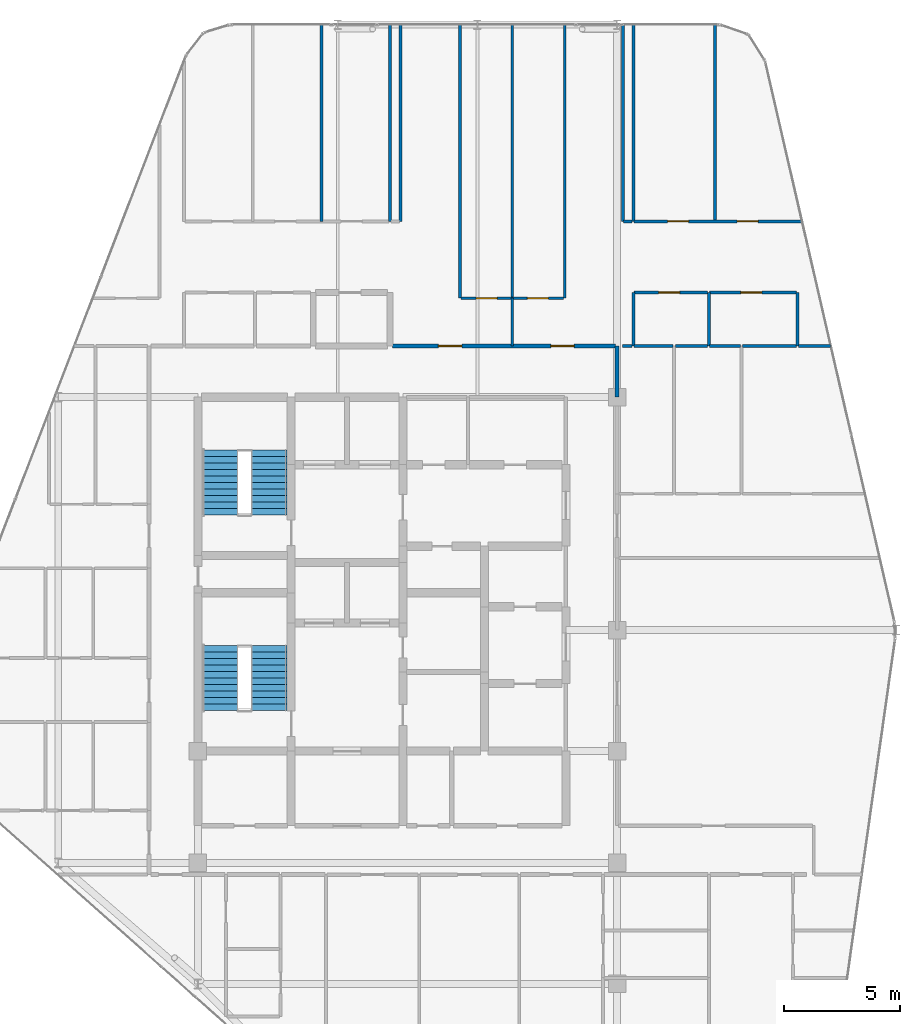
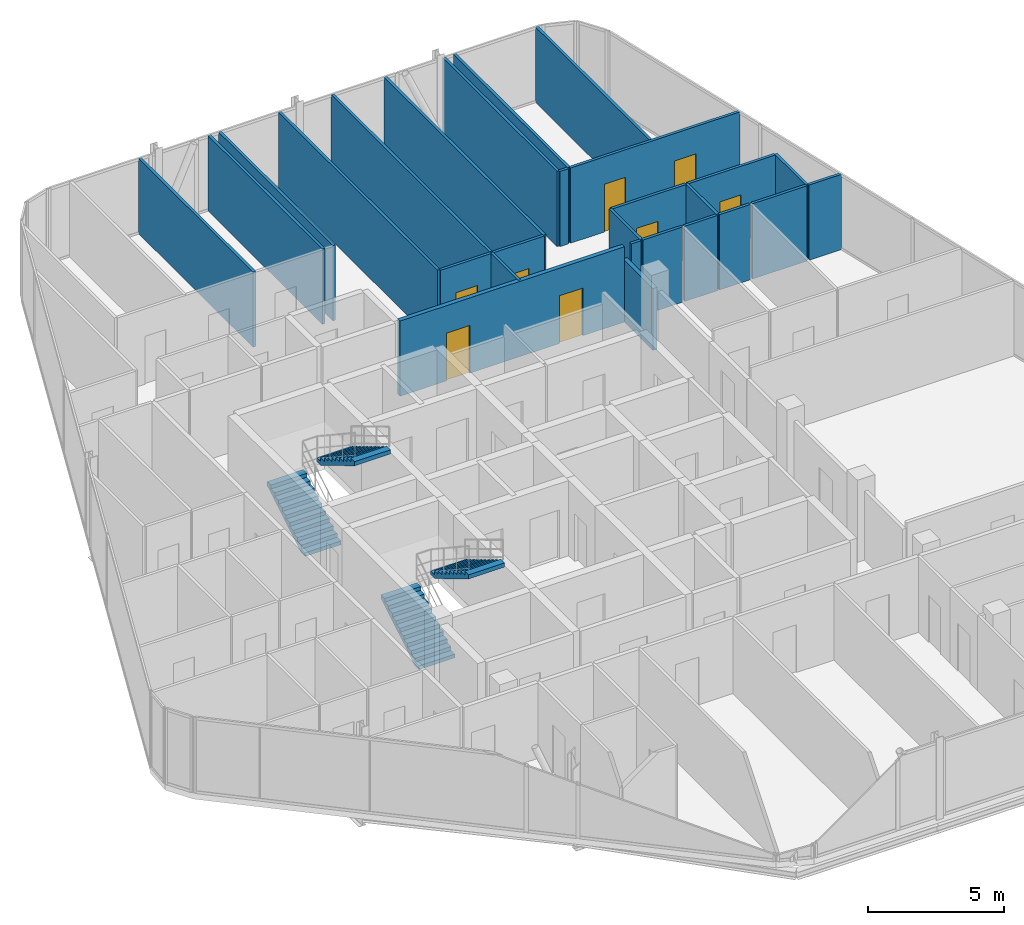
# One storey, part 26 of 27: 26 walls, 8 doors, 4 stair flights, 8 openings, 2 elements without a shape of their own.
"""IFC4 building model written with IfcOpenShell, lengths in metres."""

from ifc_helpers import new_model, si_unit, direction, frame, frame_2d, origin, place, context, subcontext, project, spatial, polyline, rectangle, outline, extrude, material, layer, layer_set, type_object, element, fill, aggregate, save


model = new_model("IFC4")

# Units and contexts
model_context = context("Model", 3, precision=1e-05, world=origin(), true_north=direction((0.0, 1.0)))
body_context = subcontext(model_context, "Body", "Model", "MODEL_VIEW")
ifc_project = project(units=[si_unit("LENGTHUNIT", "METRE"), si_unit("AREAUNIT", "SQUARE_METRE"), si_unit("VOLUMEUNIT", "CUBIC_METRE"), si_unit("PLANEANGLEUNIT", "RADIAN"), si_unit("MASSUNIT", "GRAM", prefix="KILO")], contexts=[model_context])

# Site, building, storey
site_placement = place(None, origin())
site = spatial("IfcSite", under=ifc_project, at=site_placement, CompositionType="ELEMENT")
building_placement = place(site_placement, origin())
building = spatial("IfcBuilding", under=site, at=building_placement, Name="Keshet Zoharim Tower", CompositionType="ELEMENT")
storey_placement = place(building_placement, frame((0.0, 0.0, 269.5)))
storey = spatial("IfcBuildingStorey", under=building, at=storey_placement, Name="L67", CompositionType="ELEMENT", Elevation=269.5)

# Wall, openings, doors
ifc_material_1 = material(Name="Gypsum Plasterboard", Category="gypsum")
ifc_layer_1 = layer(ifc_material_1, 0.179931640625)
ifc_layer_set_1 = layer_set([ifc_layer_1], Name="Gypsum Plasterboard")
wall_type_1 = type_object("IfcWallType", Name="WL-CORR-180", PredefinedType="STANDARD", material=ifc_layer_set_1)
wall_1_placement = place(storey_placement, frame((23.360107421875, 40.10009765625, 0.0), z_axis=(0.0, 0.0, 1.0), x_axis=(1.0, 0.0, 0.0)))
wall_1 = element("IfcWall", 1, at=wall_1_placement, inside=storey, type_object=wall_type_1, Name="L67 Interior Wall 152", PredefinedType="STANDARD", context=body_context, shape_type="SweptSolid", body=[
    extrude(rectangle(XDim=9.56494140625, YDim=0.179931640625, at=frame_2d((4.782470703125, 0.0))), origin(), (0.0, 0.0, 1.0), 3.389892578125),
])
opening_1_placement = place(wall_1_placement, frame((1.969970703125, 0.0, 0.0)))
opening_1 = element("IfcOpeningElement", 2, at=opening_1_placement, cuts=wall_1, Name="Opening D-F310", PredefinedType="OPENING", context=body_context, shape_type="SweptSolid", body=[
    extrude(rectangle(XDim=1.0, YDim=2.14990234375, at=frame_2d((0.5, 1.074951171875))), frame((0.0, 0.10009765625, 0.0), z_axis=(0.0, -1.0, 0.0), x_axis=(1.0, 0.0, 0.0)), (0.0, 0.0, 1.0), 0.199951171875),
])
opening_2_placement = place(wall_1_placement, frame((6.79296875, 0.0, 0.0)))
opening_2 = element("IfcOpeningElement", 3, at=opening_2_placement, cuts=wall_1, Name="Opening D-F310", PredefinedType="OPENING", context=body_context, shape_type="SweptSolid", body=[
    extrude(rectangle(XDim=1.0, YDim=2.14990234375, at=frame_2d((0.5, 1.074951171875))), frame((0.0, 0.10009765625, 0.0), z_axis=(0.0, -1.0, 0.0), x_axis=(1.0, 0.0, 0.0)), (0.0, 0.0, 1.0), 0.199951171875),
])
ifc_material_2 = material(Name="Hardwood Timber", Category="wood")
door_type_1 = type_object("IfcDoorType", Name="DR-FD30-100", OperationType="NOTDEFINED", PredefinedType="DOOR", material=ifc_material_2)
door_1_placement = place(opening_1_placement, origin())
door_1 = element("IfcDoor", 4, at=door_1_placement, inside=storey, type_object=door_type_1, Name="Apartment 6704 Entrance Door", OperationType="SINGLE_SWING_LEFT", OverallHeight=2.14990234375, OverallWidth=1.0, PredefinedType="DOOR", context=body_context, shape_type="SweptSolid", body=[
    extrude(rectangle(XDim=1.0, YDim=2.14990234375, at=frame_2d((0.5, 1.074951171875))), frame((0.0, 0.02490234375, 0.0), z_axis=(0.0, -1.0, 0.0), x_axis=(1.0, 0.0, 0.0)), (0.0, 0.0, 1.0), 0.050048828125),
])
fill(opening_1, door_1)
door_2_placement = place(opening_2_placement, origin())
door_2 = element("IfcDoor", 5, at=door_2_placement, inside=storey, type_object=door_type_1, Name="Apartment 6705 Entrance Door", OperationType="SINGLE_SWING_RIGHT", OverallHeight=2.14990234375, OverallWidth=1.0, PredefinedType="DOOR", context=body_context, shape_type="SweptSolid", body=[
    extrude(rectangle(XDim=1.0, YDim=2.14990234375, at=frame_2d((0.5, 1.074951171875))), frame((0.0, 0.02490234375, 0.0), z_axis=(0.0, -1.0, 0.0), x_axis=(1.0, 0.0, 0.0)), (0.0, 0.0, 1.0), 0.050048828125),
])
fill(opening_2, door_2)

# Walls
wall_2_placement = place(storey_placement, frame((33.0, 37.89990234375, 0.0), z_axis=(0.0, 0.0, 1.0), x_axis=(0.0, 1.0, 0.0)))
element("IfcWall", 6, at=wall_2_placement, inside=storey, type_object=wall_type_1, Name="L67 Interior Wall 068 Part 2", PredefinedType="STANDARD", context=body_context, shape_type="SweptSolid", body=[
    extrude(rectangle(XDim=2.2001953125, YDim=0.179931640625, at=frame_2d((1.10009765625, 0.0))), origin(), (0.0, 0.0, 1.0), 2.7900390625),
])
ifc_layer_2 = layer(ifc_material_1, 0.1201171875)
ifc_layer_set_2 = layer_set([ifc_layer_2], Name="Gypsum Plasterboard")
wall_type_2 = type_object("IfcWallType", Name="WL-PART-120", PredefinedType="PARTITIONING", material=ifc_layer_set_2)
for number, where, z_axis, x_axis, name in (
    (7, (20.300048828125, 45.449951171875, 0.0), (0.0, 0.0, 1.0), (0.0, 1.0, 0.0), "L67 Interior Wall 032"),
    (8, (23.25, 45.449951171875, 0.0), (0.0, 0.0, 1.0), (0.0, 1.0, 0.0), "L67 Interior Wall 037"),
    (9, (23.699951171875, 45.449951171875, 0.0), (0.0, 0.0, 1.0), (0.0, 1.0, 0.0), "L67 Interior Wall 038"),
):
    element("IfcWall", number, at=place(storey_placement, frame(where, z_axis=z_axis, x_axis=x_axis)), inside=storey, type_object=wall_type_2, Name=name, PredefinedType="PARTITIONING", context=body_context, shape_type="SweptSolid", body=[
        extrude(rectangle(XDim=8.43994140625, YDim=0.1201171875, at=frame_2d((4.219970703125, 0.0))), origin(), (0.0, 0.0, 1.0), 3.389892578125),
    ])
wall_3_placement = place(storey_placement, frame((26.25, 42.14990234375, 0.0), z_axis=(0.0, 0.0, 1.0), x_axis=(0.0, 1.0, 0.0)))
element("IfcWall", 10, at=wall_3_placement, inside=storey, type_object=wall_type_2, Name="L67 Interior Wall 047", PredefinedType="PARTITIONING", context=body_context, shape_type="SweptSolid", body=[
    extrude(rectangle(XDim=11.739990234375, YDim=0.1201171875, at=frame_2d((5.8701171875, 0.0))), origin(), (0.0, 0.0, 1.0), 3.389892578125),
])
wall_4_placement = place(storey_placement, frame((28.5, 40.10009765625, 0.0), z_axis=(0.0, 0.0, 1.0), x_axis=(0.0, 1.0, 0.0)))
element("IfcWall", 11, at=wall_4_placement, inside=storey, type_object=wall_type_2, Name="L67 Interior Wall 053", PredefinedType="PARTITIONING", context=body_context, shape_type="SweptSolid", body=[
    extrude(rectangle(XDim=2.0498046875, YDim=0.1201171875, at=frame_2d((1.02490234375, 0.0))), origin(), (0.0, 0.0, 1.0), 3.389892578125),
])
for number, where, z_axis, x_axis, name in (
    (12, (28.5, 42.14990234375, 0.0), (0.0, 0.0, 1.0), (0.0, 1.0, 0.0), "L67 Interior Wall 054"),
    (13, (30.75, 42.14990234375, 0.0), (0.0, 0.0, 1.0), (0.0, 1.0, 0.0), "L67 Interior Wall 056"),
):
    element("IfcWall", number, at=place(storey_placement, frame(where, z_axis=z_axis, x_axis=x_axis)), inside=storey, type_object=wall_type_2, Name=name, PredefinedType="PARTITIONING", context=body_context, shape_type="SweptSolid", body=[
        extrude(rectangle(XDim=11.739990234375, YDim=0.1201171875, at=frame_2d((5.8701171875, 0.0))), origin(), (0.0, 0.0, 1.0), 3.389892578125),
    ])
wall_5_placement = place(storey_placement, frame((33.25, 45.449951171875, 0.0), z_axis=(0.0, 0.0, 1.0), x_axis=(0.0, 1.0, 0.0)))
element("IfcWall", 14, at=wall_5_placement, inside=storey, type_object=wall_type_2, Name="L67 Interior Wall 069", PredefinedType="PARTITIONING", context=body_context, shape_type="SweptSolid", body=[
    extrude(rectangle(XDim=8.43994140625, YDim=0.1201171875, at=frame_2d((4.219970703125, 0.0))), origin(), (0.0, 0.0, 1.0), 3.389892578125),
])
wall_6_placement = place(storey_placement, frame((33.699951171875, 40.10009765625, 0.0), z_axis=(0.0, 0.0, 1.0), x_axis=(0.0, 1.0, 0.0)))
element("IfcWall", 15, at=wall_6_placement, inside=storey, type_object=wall_type_2, Name="L67 Interior Wall 070", PredefinedType="PARTITIONING", context=body_context, shape_type="SweptSolid", body=[
    extrude(rectangle(XDim=2.2998046875, YDim=0.1201171875, at=frame_2d((1.14990234375, 0.0))), origin(), (0.0, 0.0, 1.0), 3.389892578125),
])
for number, where, z_axis, x_axis, name in (
    (16, (33.699951171875, 45.449951171875, 0.0), (0.0, 0.0, 1.0), (0.0, 1.0, 0.0), "L67 Interior Wall 071"),
    (17, (37.199951171875, 45.449951171875, 0.0), (0.0, 0.0, 1.0), (0.0, 1.0, 0.0), "L67 Interior Wall 077"),
):
    element("IfcWall", number, at=place(storey_placement, frame(where, z_axis=z_axis, x_axis=x_axis)), inside=storey, type_object=wall_type_2, Name=name, PredefinedType="PARTITIONING", context=body_context, shape_type="SweptSolid", body=[
        extrude(rectangle(XDim=8.43994140625, YDim=0.1201171875, at=frame_2d((4.219970703125, 0.0))), origin(), (0.0, 0.0, 1.0), 3.389892578125),
    ])
wall_7_placement = place(storey_placement, frame((33.22998046875, 40.10009765625, 0.0), z_axis=(0.0, 0.0, 1.0), x_axis=(1.0, 0.0, 0.0)))
element("IfcWall", 18, at=wall_7_placement, inside=storey, type_object=wall_type_2, Name="L67 Interior Wall 153", PredefinedType="PARTITIONING", context=body_context, shape_type="SweptSolid", body=[
    extrude(rectangle(XDim=0.405029296875, YDim=0.1201171875, at=frame_2d((0.20263671875, 0.0))), origin(), (0.0, 0.0, 1.0), 3.389892578125),
])
wall_8_placement = place(storey_placement, frame((33.72509765625, 40.10009765625, 0.0), z_axis=(0.0, 0.0, 1.0), x_axis=(1.0, 0.0, 0.0)))
element("IfcWall", 19, at=wall_8_placement, inside=storey, type_object=wall_type_2, Name="L67 Interior Wall 154", PredefinedType="PARTITIONING", context=body_context, shape_type="SweptSolid", body=[
    extrude(rectangle(XDim=1.684814453125, YDim=0.1201171875, at=frame_2d((0.84228515625, 0.0))), origin(), (0.0, 0.0, 1.0), 3.389892578125),
])
wall_9_placement = place(storey_placement, frame((40.7958984375, 40.10009765625, 0.0), z_axis=(0.0, 0.0, 1.0), x_axis=(1.0, 0.0, 0.0)))
element("IfcWall", 20, at=wall_9_placement, inside=storey, type_object=wall_type_2, Name="L67 Interior Wall 158", PredefinedType="PARTITIONING", context=body_context, shape_type="SweptSolid", body=[
    extrude(rectangle(XDim=1.379150390625, YDim=0.1201171875, at=frame_2d((0.689453125, 0.0))), origin(), (0.0, 0.0, 1.0), 3.389892578125),
])

# Wall, openings, doors
wall_10_placement = place(storey_placement, frame((26.294921875, 42.14990234375, 0.0), z_axis=(0.0, 0.0, 1.0), x_axis=(1.0, 0.0, 0.0)))
wall_10 = element("IfcWall", 21, at=wall_10_placement, inside=storey, type_object=wall_type_2, Name="L67 Interior Wall 160", PredefinedType="PARTITIONING", context=body_context, shape_type="SweptSolid", body=[
    extrude(rectangle(XDim=4.41015625, YDim=0.1201171875, at=frame_2d((2.205078125, 0.0))), origin(), (0.0, 0.0, 1.0), 3.389892578125),
])
opening_3_placement = place(wall_10_placement, frame((0.655029296875, 0.0, 0.0)))
opening_3 = element("IfcOpeningElement", 22, at=opening_3_placement, cuts=wall_10, Name="Opening D-IN90", PredefinedType="OPENING", context=body_context, shape_type="SweptSolid", body=[
    extrude(rectangle(XDim=0.89990234375, YDim=2.14990234375, at=frame_2d((0.449951171875, 1.074951171875))), frame((0.0, 0.070068359375, 0.0), z_axis=(0.0, -1.0, 0.0), x_axis=(1.0, 0.0, 0.0)), (0.0, 0.0, 1.0), 0.14013671875),
])
opening_4_placement = place(wall_10_placement, frame((2.85498046875, 0.0, 0.0)))
opening_4 = element("IfcOpeningElement", 23, at=opening_4_placement, cuts=wall_10, Name="Opening D-IN90", PredefinedType="OPENING", context=body_context, shape_type="SweptSolid", body=[
    extrude(rectangle(XDim=0.89990234375, YDim=2.14990234375, at=frame_2d((0.449951171875, 1.074951171875))), frame((0.0, 0.070068359375, 0.0), z_axis=(0.0, -1.0, 0.0), x_axis=(1.0, 0.0, 0.0)), (0.0, 0.0, 1.0), 0.14013671875),
])
door_type_2 = type_object("IfcDoorType", Name="DR-INT-090", OperationType="NOTDEFINED", PredefinedType="DOOR", material=ifc_material_2)
door_3_placement = place(opening_3_placement, origin())
door_3 = element("IfcDoor", 24, at=door_3_placement, inside=storey, type_object=door_type_2, Name="Apartment 6704 Formal Dining Room Door", OperationType="SINGLE_SWING_RIGHT", OverallHeight=2.14990234375, OverallWidth=0.89990234375, PredefinedType="DOOR", context=body_context, shape_type="SweptSolid", body=[
    extrude(rectangle(XDim=0.89990234375, YDim=2.14990234375, at=frame_2d((0.449951171875, 1.074951171875))), frame((0.0, 0.02490234375, 0.0), z_axis=(0.0, -1.0, 0.0), x_axis=(1.0, 0.0, 0.0)), (0.0, 0.0, 1.0), 0.050048828125),
])
fill(opening_3, door_3)
door_4_placement = place(opening_4_placement, origin())
door_4 = element("IfcDoor", 25, at=door_4_placement, inside=storey, type_object=door_type_2, Name="Apartment 6705 Formal Dining Room Door", OperationType="SINGLE_SWING_LEFT", OverallHeight=2.14990234375, OverallWidth=0.89990234375, PredefinedType="DOOR", context=body_context, shape_type="SweptSolid", body=[
    extrude(rectangle(XDim=0.89990234375, YDim=2.14990234375, at=frame_2d((0.449951171875, 1.074951171875))), frame((0.0, 0.02490234375, 0.0), z_axis=(0.0, -1.0, 0.0), x_axis=(1.0, 0.0, 0.0)), (0.0, 0.0, 1.0), 0.050048828125),
])
fill(opening_4, door_4)

# Wall, opening, door
wall_11_placement = place(storey_placement, frame((33.72509765625, 42.39990234375, 0.0), z_axis=(0.0, 0.0, 1.0), x_axis=(1.0, 0.0, 0.0)))
wall_11 = element("IfcWall", 26, at=wall_11_placement, inside=storey, type_object=wall_type_2, Name="L67 Interior Wall 164", PredefinedType="PARTITIONING", context=body_context, shape_type="SweptSolid", body=[
    extrude(rectangle(XDim=3.162841796875, YDim=0.1201171875, at=frame_2d((1.58154296875, 0.0))), origin(), (0.0, 0.0, 1.0), 3.389892578125),
])
opening_5_placement = place(wall_11_placement, frame((1.06005859375, 0.0, 0.0)))
opening_5 = element("IfcOpeningElement", 27, at=opening_5_placement, cuts=wall_11, Name="Opening D-IN90", PredefinedType="OPENING", context=body_context, shape_type="SweptSolid", body=[
    extrude(rectangle(XDim=0.89990234375, YDim=2.14990234375, at=frame_2d((0.449951171875, 1.074951171875))), frame((0.0, 0.070068359375, 0.0), z_axis=(0.0, -1.0, 0.0), x_axis=(1.0, 0.0, 0.0)), (0.0, 0.0, 1.0), 0.14013671875),
])
door_5_placement = place(opening_5_placement, origin())
door_5 = element("IfcDoor", 28, at=door_5_placement, inside=storey, type_object=door_type_2, Name="Apartment 6705 Kitchen Door", OperationType="SINGLE_SWING_LEFT", OverallHeight=2.14990234375, OverallWidth=0.89990234375, PredefinedType="DOOR", context=body_context, shape_type="SweptSolid", body=[
    extrude(rectangle(XDim=0.89990234375, YDim=2.14990234375, at=frame_2d((0.449951171875, 1.074951171875))), frame((0.0, 0.02490234375, 0.0), z_axis=(0.0, -1.0, 0.0), x_axis=(1.0, 0.0, 0.0)), (0.0, 0.0, 1.0), 0.050048828125),
])
fill(opening_5, door_5)

# Wall
wall_12_placement = place(storey_placement, frame((33.27490234375, 45.449951171875, 0.0), z_axis=(0.0, 0.0, 1.0), x_axis=(1.0, 0.0, 0.0)))
element("IfcWall", 29, at=wall_12_placement, inside=storey, type_object=wall_type_2, Name="L67 Interior Wall 168", PredefinedType="PARTITIONING", context=body_context, shape_type="SweptSolid", body=[
    extrude(rectangle(XDim=0.360107421875, YDim=0.1201171875, at=frame_2d((0.18017578125, 0.0))), origin(), (0.0, 0.0, 1.0), 3.389892578125),
])

# Wall, openings, doors
wall_13_placement = place(storey_placement, frame((33.72509765625, 45.449951171875, 0.0), z_axis=(0.0, 0.0, 1.0), x_axis=(1.0, 0.0, 0.0)))
wall_13 = element("IfcWall", 30, at=wall_13_placement, inside=storey, type_object=wall_type_2, Name="L67 Interior Wall 169", PredefinedType="PARTITIONING", context=body_context, shape_type="SweptSolid", body=[
    extrude(rectangle(XDim=7.21484375, YDim=0.1201171875, at=frame_2d((3.607421875, 0.0))), origin(), (0.0, 0.0, 1.0), 3.389892578125),
])
opening_6_placement = place(wall_13_placement, frame((1.447998046875, 0.0, 0.0)))
opening_6 = element("IfcOpeningElement", 31, at=opening_6_placement, cuts=wall_13, Name="Opening D-IN90", PredefinedType="OPENING", context=body_context, shape_type="SweptSolid", body=[
    extrude(rectangle(XDim=0.89990234375, YDim=2.14990234375, at=frame_2d((0.449951171875, 1.074951171875))), frame((0.0, 0.070068359375, 0.0), z_axis=(0.0, -1.0, 0.0), x_axis=(1.0, 0.0, 0.0)), (0.0, 0.0, 1.0), 0.14013671875),
])
opening_7_placement = place(wall_13_placement, frame((4.43603515625, 0.0, 0.0)))
opening_7 = element("IfcOpeningElement", 32, at=opening_7_placement, cuts=wall_13, Name="Opening D-IN90", PredefinedType="OPENING", context=body_context, shape_type="SweptSolid", body=[
    extrude(rectangle(XDim=0.89990234375, YDim=2.14990234375, at=frame_2d((0.449951171875, 1.074951171875))), frame((0.0, 0.070068359375, 0.0), z_axis=(0.0, -1.0, 0.0), x_axis=(1.0, 0.0, 0.0)), (0.0, 0.0, 1.0), 0.14013671875),
])
door_6_placement = place(opening_6_placement, origin())
door_6 = element("IfcDoor", 33, at=door_6_placement, inside=storey, type_object=door_type_2, Name="Apartment 6705 Bedroom 1 Door", OperationType="SINGLE_SWING_RIGHT", OverallHeight=2.14990234375, OverallWidth=0.89990234375, PredefinedType="DOOR", context=body_context, shape_type="SweptSolid", body=[
    extrude(rectangle(XDim=0.89990234375, YDim=2.14990234375, at=frame_2d((0.449951171875, 1.074951171875))), frame((0.0, 0.02490234375, 0.0), z_axis=(0.0, -1.0, 0.0), x_axis=(1.0, 0.0, 0.0)), (0.0, 0.0, 1.0), 0.050048828125),
])
fill(opening_6, door_6)
door_7_placement = place(opening_7_placement, origin())
door_7 = element("IfcDoor", 34, at=door_7_placement, inside=storey, type_object=door_type_2, Name="Apartment 6705 Bedroom 2 Door", OperationType="SINGLE_SWING_LEFT", OverallHeight=2.14990234375, OverallWidth=0.89990234375, PredefinedType="DOOR", context=body_context, shape_type="SweptSolid", body=[
    extrude(rectangle(XDim=0.89990234375, YDim=2.14990234375, at=frame_2d((0.449951171875, 1.074951171875))), frame((0.0, 0.02490234375, 0.0), z_axis=(0.0, -1.0, 0.0), x_axis=(1.0, 0.0, 0.0)), (0.0, 0.0, 1.0), 0.050048828125),
])
fill(opening_7, door_7)

# Walls
ifc_layer_3 = layer(ifc_material_1, 0.1201171875)
ifc_layer_set_3 = layer_set([ifc_layer_3], Name="Gypsum Plasterboard")
wall_type_3 = type_object("IfcWallType", Name="WL-WET-120", PredefinedType="PARTITIONING", material=ifc_layer_set_3)
for number, where, z_axis, x_axis, name in (
    (35, (36.949951171875, 40.10009765625, 0.0), (0.0, 0.0, 1.0), (0.0, 1.0, 0.0), "L67 Interior Wall 076"),
    (36, (40.75, 40.10009765625, 0.0), (0.0, 0.0, 1.0), (0.0, 1.0, 0.0), "L67 Interior Wall 082"),
):
    element("IfcWall", number, at=place(storey_placement, frame(where, z_axis=z_axis, x_axis=x_axis)), inside=storey, type_object=wall_type_3, Name=name, PredefinedType="PARTITIONING", context=body_context, shape_type="SweptSolid", body=[
        extrude(rectangle(XDim=2.2998046875, YDim=0.1201171875, at=frame_2d((1.14990234375, 0.0))), origin(), (0.0, 0.0, 1.0), 3.389892578125),
    ])
wall_14_placement = place(storey_placement, frame((35.5, 40.10009765625, 0.0), z_axis=(0.0, 0.0, 1.0), x_axis=(1.0, 0.0, 0.0)))
element("IfcWall", 37, at=wall_14_placement, inside=storey, type_object=wall_type_3, Name="L67 Interior Wall 155", PredefinedType="PARTITIONING", context=body_context, shape_type="SweptSolid", body=[
    extrude(rectangle(XDim=1.387939453125, YDim=0.1201171875, at=frame_2d((0.69384765625, 0.0))), origin(), (0.0, 0.0, 1.0), 3.389892578125),
])
wall_15_placement = place(storey_placement, frame((36.97802734375, 40.10009765625, 0.0), z_axis=(0.0, 0.0, 1.0), x_axis=(1.0, 0.0, 0.0)))
element("IfcWall", 38, at=wall_15_placement, inside=storey, type_object=wall_type_3, Name="L67 Interior Wall 156", PredefinedType="PARTITIONING", context=body_context, shape_type="SweptSolid", body=[
    extrude(rectangle(XDim=1.31494140625, YDim=0.1201171875, at=frame_2d((0.657470703125, 0.0))), origin(), (0.0, 0.0, 1.0), 3.389892578125),
])
wall_16_placement = place(storey_placement, frame((38.383056640625, 40.10009765625, 0.0), z_axis=(0.0, 0.0, 1.0), x_axis=(1.0, 0.0, 0.0)))
element("IfcWall", 39, at=wall_16_placement, inside=storey, type_object=wall_type_3, Name="L67 Interior Wall 157", PredefinedType="PARTITIONING", context=body_context, shape_type="SweptSolid", body=[
    extrude(rectangle(XDim=2.322998046875, YDim=0.1201171875, at=frame_2d((1.16162109375, 0.0))), origin(), (0.0, 0.0, 1.0), 3.389892578125),
])

# Wall, opening, door
wall_17_placement = place(storey_placement, frame((36.97802734375, 42.39990234375, 0.0), z_axis=(0.0, 0.0, 1.0), x_axis=(1.0, 0.0, 0.0)))
wall_17 = element("IfcWall", 40, at=wall_17_placement, inside=storey, type_object=wall_type_3, Name="L67 Interior Wall 165", PredefinedType="PARTITIONING", context=body_context, shape_type="SweptSolid", body=[
    extrude(rectangle(XDim=3.72802734375, YDim=0.1201171875, at=frame_2d((1.864013671875, 0.0))), origin(), (0.0, 0.0, 1.0), 3.389892578125),
])
opening_8_placement = place(wall_17_placement, frame((1.343017578125, 0.0, 0.0)))
opening_8 = element("IfcOpeningElement", 41, at=opening_8_placement, cuts=wall_17, Name="Opening D-WT90", PredefinedType="OPENING", context=body_context, shape_type="SweptSolid", body=[
    extrude(rectangle(XDim=0.89990234375, YDim=2.10009765625, at=frame_2d((0.449951171875, 1.050048828125))), frame((0.0, 0.070068359375, 0.0), z_axis=(0.0, -1.0, 0.0), x_axis=(1.0, 0.0, 0.0)), (0.0, 0.0, 1.0), 0.14013671875),
])
door_type_3 = type_object("IfcDoorType", Name="DR-WET-090", OperationType="NOTDEFINED", PredefinedType="DOOR", material=ifc_material_2)
door_8_placement = place(opening_8_placement, origin())
door_8 = element("IfcDoor", 42, at=door_8_placement, inside=storey, type_object=door_type_3, Name="Apartment 6705 Bathroom Door", OperationType="SINGLE_SWING_RIGHT", OverallHeight=2.10009765625, OverallWidth=0.89990234375, PredefinedType="DOOR", context=body_context, shape_type="SweptSolid", body=[
    extrude(rectangle(XDim=0.89990234375, YDim=2.10009765625, at=frame_2d((0.449951171875, 1.050048828125))), frame((0.0, 0.02490234375, 0.0), z_axis=(0.0, -1.0, 0.0), x_axis=(1.0, 0.0, 0.0)), (0.0, 0.0, 1.0), 0.050048828125),
])
fill(opening_8, door_8)

# Stair, stair flights
ifc_material_3 = material(Name="Concrete C50/60", Category="concrete")
stair_type = type_object("IfcStairType", Name="STR-EXIT-135", PredefinedType="HALF_TURN_STAIR", material=ifc_material_3)
stair_1_placement = place(storey_placement, origin())
stair_1 = element("IfcStair", 43, at=stair_1_placement, inside=storey, type_object=stair_type, Name="L67 Enclosed Exit Stair ST-01", PredefinedType="HALF_TURN_STAIR")
stair_flight_type = type_object("IfcStairFlightType", Name="FLT-PRE-135", PredefinedType="STRAIGHT", material=ifc_material_3)
stair_flight_1_placement = place(storey_placement, frame((15.945068359375, 24.43994140625, 0.0), z_axis=(0.0, 0.0, 1.0), x_axis=(0.0, 1.0, 0.0)))
stair_flight_1 = element("IfcStairFlight", 44, at=stair_flight_1_placement, type_object=stair_flight_type, Name="ST-01 flight 1", NumberOfRisers=11, NumberOfTreads=10, PredefinedType="STRAIGHT", RiserHeight=0.168182, TreadLength=0.28, context=body_context, shape_type="SweptSolid", body=[
    extrude(outline(polyline([(0.0, 0.0), (0.0, 0.168212890625), (0.280029296875, 0.168212890625), (0.280029296875, 0.33642578125), (0.56005859375, 0.33642578125), (0.56005859375, 0.504638671875), (0.840087890625, 0.504638671875), (0.840087890625, 0.672607421875), (1.1201171875, 0.672607421875), (1.1201171875, 0.8408203125), (1.39990234375, 0.8408203125), (1.39990234375, 1.009033203125), (1.679931640625, 1.009033203125), (1.679931640625, 1.17724609375), (1.9599609375, 1.17724609375), (1.9599609375, 1.345458984375), (2.239990234375, 1.345458984375), (2.239990234375, 1.513671875), (2.52001953125, 1.513671875), (2.52001953125, 1.681884765625), (2.800048828125, 1.681884765625), (2.800048828125, 1.85009765625), (2.800048828125, 1.495361328125), (0.310546875, 0.0), (0.0, 0.0)])), frame((0.0, 0.76513671875, 0.0), z_axis=(0.0, -1.0, 0.0), x_axis=(1.0, 0.0, 0.0)), (0.0, 0.0, 1.0), 1.530029296875),
])
stair_flight_2_placement = place(storey_placement, frame((18.054931640625, 27.239990234375, 1.85009765625), z_axis=(0.0, 0.0, 1.0), x_axis=(0.0, -1.0, 0.0)))
stair_flight_2 = element("IfcStairFlight", 45, at=stair_flight_2_placement, type_object=stair_flight_type, Name="ST-01 flight 2", NumberOfRisers=11, NumberOfTreads=10, PredefinedType="STRAIGHT", RiserHeight=0.168182, TreadLength=0.28, context=body_context, shape_type="SweptSolid", body=[
    extrude(outline(polyline([(0.0, 0.0), (0.0, 0.168212890625), (0.280029296875, 0.168212890625), (0.280029296875, 0.33642578125), (0.56005859375, 0.33642578125), (0.56005859375, 0.504638671875), (0.840087890625, 0.504638671875), (0.840087890625, 0.672607421875), (1.1201171875, 0.672607421875), (1.1201171875, 0.8408203125), (1.39990234375, 0.8408203125), (1.39990234375, 1.009033203125), (1.679931640625, 1.009033203125), (1.679931640625, 1.17724609375), (1.9599609375, 1.17724609375), (1.9599609375, 1.345458984375), (2.239990234375, 1.345458984375), (2.239990234375, 1.513671875), (2.52001953125, 1.513671875), (2.52001953125, 1.681884765625), (2.800048828125, 1.681884765625), (2.800048828125, 1.85009765625), (2.800048828125, 1.495361328125), (0.310546875, 0.0), (0.0, 0.0)])), frame((0.0, 0.76513671875, 0.0), z_axis=(0.0, -1.0, 0.0), x_axis=(1.0, 0.0, 0.0)), (0.0, 0.0, 1.0), 1.530029296875),
])
aggregate(stair_1, [stair_flight_1, stair_flight_2])

stair_2_placement = place(storey_placement, origin())
stair_2 = element("IfcStair", 46, at=stair_2_placement, inside=storey, type_object=stair_type, Name="L67 Enclosed Exit Stair ST-02", PredefinedType="HALF_TURN_STAIR")
stair_flight_3_placement = place(storey_placement, frame((15.945068359375, 32.840087890625, 0.0), z_axis=(0.0, 0.0, 1.0), x_axis=(0.0, 1.0, 0.0)))
stair_flight_3 = element("IfcStairFlight", 47, at=stair_flight_3_placement, type_object=stair_flight_type, Name="ST-02 flight 1", NumberOfRisers=11, NumberOfTreads=10, PredefinedType="STRAIGHT", RiserHeight=0.168182, TreadLength=0.28, context=body_context, shape_type="SweptSolid", body=[
    extrude(outline(polyline([(0.0, 0.0), (0.0, 0.168212890625), (0.280029296875, 0.168212890625), (0.280029296875, 0.33642578125), (0.56005859375, 0.33642578125), (0.56005859375, 0.504638671875), (0.840087890625, 0.504638671875), (0.840087890625, 0.672607421875), (1.1201171875, 0.672607421875), (1.1201171875, 0.8408203125), (1.39990234375, 0.8408203125), (1.39990234375, 1.009033203125), (1.679931640625, 1.009033203125), (1.679931640625, 1.17724609375), (1.9599609375, 1.17724609375), (1.9599609375, 1.345458984375), (2.239990234375, 1.345458984375), (2.239990234375, 1.513671875), (2.52001953125, 1.513671875), (2.52001953125, 1.681884765625), (2.800048828125, 1.681884765625), (2.800048828125, 1.85009765625), (2.800048828125, 1.495361328125), (0.310546875, 0.0), (0.0, 0.0)])), frame((0.0, 0.76513671875, 0.0), z_axis=(0.0, -1.0, 0.0), x_axis=(1.0, 0.0, 0.0)), (0.0, 0.0, 1.0), 1.530029296875),
])
stair_flight_4_placement = place(storey_placement, frame((18.054931640625, 35.639892578125, 1.85009765625), z_axis=(0.0, 0.0, 1.0), x_axis=(0.0, -1.0, 0.0)))
stair_flight_4 = element("IfcStairFlight", 48, at=stair_flight_4_placement, type_object=stair_flight_type, Name="ST-02 flight 2", NumberOfRisers=11, NumberOfTreads=10, PredefinedType="STRAIGHT", RiserHeight=0.168182, TreadLength=0.28, context=body_context, shape_type="SweptSolid", body=[
    extrude(outline(polyline([(0.0, 0.0), (0.0, 0.168212890625), (0.280029296875, 0.168212890625), (0.280029296875, 0.33642578125), (0.56005859375, 0.33642578125), (0.56005859375, 0.504638671875), (0.840087890625, 0.504638671875), (0.840087890625, 0.672607421875), (1.1201171875, 0.672607421875), (1.1201171875, 0.8408203125), (1.39990234375, 0.8408203125), (1.39990234375, 1.009033203125), (1.679931640625, 1.009033203125), (1.679931640625, 1.17724609375), (1.9599609375, 1.17724609375), (1.9599609375, 1.345458984375), (2.239990234375, 1.345458984375), (2.239990234375, 1.513671875), (2.52001953125, 1.513671875), (2.52001953125, 1.681884765625), (2.800048828125, 1.681884765625), (2.800048828125, 1.85009765625), (2.800048828125, 1.495361328125), (0.310546875, 0.0), (0.0, 0.0)])), frame((0.0, 0.76513671875, 0.0), z_axis=(0.0, -1.0, 0.0), x_axis=(1.0, 0.0, 0.0)), (0.0, 0.0, 1.0), 1.530029296875),
])
aggregate(stair_2, [stair_flight_3, stair_flight_4])

save(model, "model.ifc")
